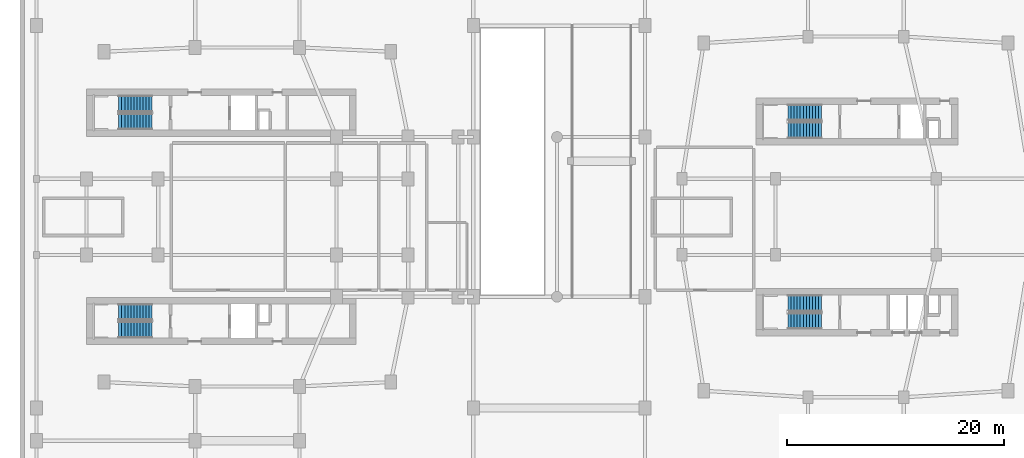
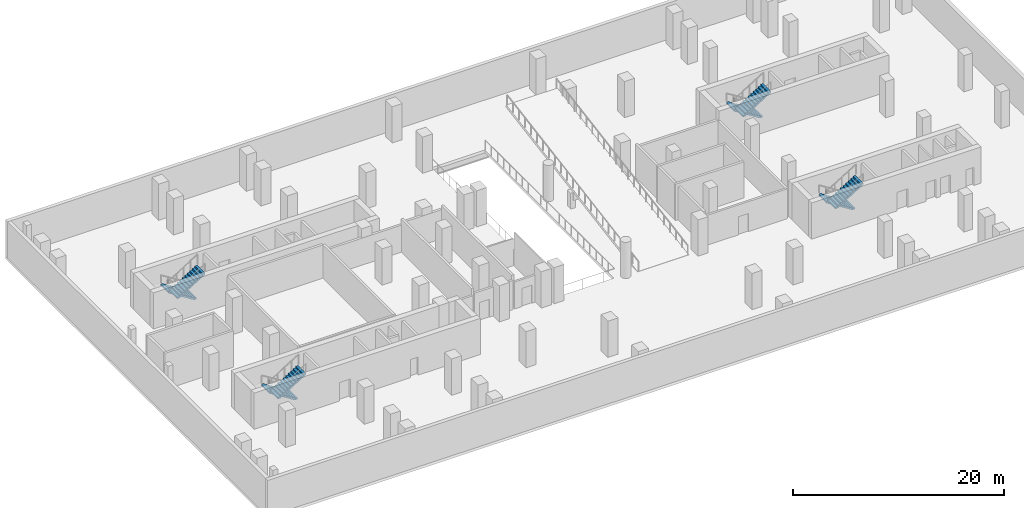
# One storey, part 9 of 13: 8 stair flights, 4 elements without a shape of their own.
"""IFC4 building model written with IfcOpenShell, lengths in metres."""

from ifc_helpers import new_model, si_unit, derived_unit, direction, frame, origin, place, context, subcontext, project, spatial, polyline, outline, extrude, material, type_object, element, aggregate, save


model = new_model("IFC4")

# Units and contexts
model_context = context("Model", 3, precision=1e-05, world=origin(), true_north=direction((0.0, 1.0)))
body_context = subcontext(model_context, "Body", "Model", "MODEL_VIEW")
ifc_project = project(units=[si_unit("LENGTHUNIT", "METRE"), si_unit("AREAUNIT", "SQUARE_METRE"), si_unit("VOLUMEUNIT", "CUBIC_METRE"), si_unit("PLANEANGLEUNIT", "RADIAN"), si_unit("MASSUNIT", "GRAM", prefix="KILO"), derived_unit("THERMALTRANSMITTANCEUNIT", [(si_unit("POWERUNIT", "WATT"), 1), (si_unit("LENGTHUNIT", "METRE"), -2), (si_unit("THERMODYNAMICTEMPERATUREUNIT", "KELVIN"), -1)])], contexts=[model_context])

# Site, building, storey
site_placement = place(None, origin())
site = spatial("IfcSite", under=ifc_project, at=site_placement, CompositionType="ELEMENT")
building_placement = place(site_placement, origin())
building = spatial("IfcBuilding", under=site, at=building_placement, Name="Kivonza Crest Hotel", CompositionType="ELEMENT")
storey_placement = place(building_placement, frame((0.0, 0.0, -4.199951171875)))
storey = spatial("IfcBuildingStorey", under=building, at=storey_placement, Name="B1", CompositionType="ELEMENT", Elevation=-4.199951171875)

# Stair, stair flights
ifc_material = material(Name="Concrete C40/50", Category="concrete")
stair_type = type_object("IfcStairType", Name="ST-DL-24R", PredefinedType="HALF_TURN_STAIR", material=ifc_material)
stair_1_placement = place(storey_placement, origin())
stair_1 = element("IfcStair", 1, at=stair_1_placement, inside=storey, type_object=stair_type, Name="B1 Protected Exit Stair ST-T1-N", PredefinedType="HALF_TURN_STAIR")
stair_flight_type = type_object("IfcStairFlightType", Name="SFL-RC-12R", PredefinedType="STRAIGHT", material=ifc_material)
stair_flight_1_placement = place(storey_placement, frame((12.239990234375, 35.409912109375, 0.0), z_axis=(0.0, 0.0, 1.0), x_axis=(-1.0, 0.0, 0.0)))
stair_flight_1 = element("IfcStairFlight", 2, at=stair_flight_1_placement, type_object=stair_flight_type, Name="ST-T1-N flight 1", NumberOfRisers=12, NumberOfTreads=11, PredefinedType="STRAIGHT", RiserHeight=0.175, TreadLength=0.28, context=body_context, shape_type="SweptSolid", body=[
    extrude(outline(polyline([(0.0, 0.0), (0.0, 0.175048828125), (0.280029296875, 0.175048828125), (0.280029296875, 0.35009765625), (0.56005859375, 0.35009765625), (0.56005859375, 0.52490234375), (0.840087890625, 0.52490234375), (0.840087890625, 0.699951171875), (1.1201171875, 0.699951171875), (1.1201171875, 0.875), (1.39990234375, 0.875), (1.39990234375, 1.050048828125), (1.679931640625, 1.050048828125), (1.679931640625, 1.22509765625), (1.9599609375, 1.22509765625), (1.9599609375, 1.39990234375), (2.239990234375, 1.39990234375), (2.239990234375, 1.574951171875), (2.52001953125, 1.574951171875), (2.52001953125, 1.75), (2.800048828125, 1.75), (2.800048828125, 1.925048828125), (3.080078125, 1.925048828125), (3.080078125, 2.10009765625), (3.080078125, 1.748291015625), (0.28271484375, 0.0), (0.0, 0.0)])), frame((0.0, 0.75, 0.0), z_axis=(0.0, -1.0, 0.0), x_axis=(1.0, 0.0, 0.0)), (0.0, 0.0, 1.0), 1.5),
])
stair_flight_2_placement = place(storey_placement, frame((9.159912109375, 33.77001953125, 2.099853515625), z_axis=(0.0, 0.0, 1.0), x_axis=(1.0, 0.0, 0.0)))
stair_flight_2 = element("IfcStairFlight", 3, at=stair_flight_2_placement, type_object=stair_flight_type, Name="ST-T1-N flight 2", NumberOfRisers=12, NumberOfTreads=11, PredefinedType="STRAIGHT", RiserHeight=0.175, TreadLength=0.28, context=body_context, shape_type="SweptSolid", body=[
    extrude(outline(polyline([(0.0, 0.0), (0.0, 0.175048828125), (0.280029296875, 0.175048828125), (0.280029296875, 0.35009765625), (0.56005859375, 0.35009765625), (0.56005859375, 0.52490234375), (0.840087890625, 0.52490234375), (0.840087890625, 0.699951171875), (1.1201171875, 0.699951171875), (1.1201171875, 0.875), (1.39990234375, 0.875), (1.39990234375, 1.050048828125), (1.679931640625, 1.050048828125), (1.679931640625, 1.22509765625), (1.9599609375, 1.22509765625), (1.9599609375, 1.39990234375), (2.239990234375, 1.39990234375), (2.239990234375, 1.574951171875), (2.52001953125, 1.574951171875), (2.52001953125, 1.75), (2.800048828125, 1.75), (2.800048828125, 1.925048828125), (3.080078125, 1.925048828125), (3.080078125, 2.10009765625), (3.080078125, 1.748291015625), (0.28271484375, 0.0), (0.0, 0.0)])), frame((0.0, 0.75, 0.0), z_axis=(0.0, -1.0, 0.0), x_axis=(1.0, 0.0, 0.0)), (0.0, 0.0, 1.0), 1.5),
])
aggregate(stair_1, [stair_flight_1, stair_flight_2])

stair_2_placement = place(storey_placement, origin())
stair_2 = element("IfcStair", 4, at=stair_2_placement, inside=storey, type_object=stair_type, Name="B1 Protected Exit Stair ST-T1-S", PredefinedType="HALF_TURN_STAIR")
stair_flight_3_placement = place(storey_placement, frame((12.239990234375, 16.25, 0.0), z_axis=(0.0, 0.0, 1.0), x_axis=(-1.0, 0.0, 0.0)))
stair_flight_3 = element("IfcStairFlight", 5, at=stair_flight_3_placement, type_object=stair_flight_type, Name="ST-T1-S flight 1", NumberOfRisers=12, NumberOfTreads=11, PredefinedType="STRAIGHT", RiserHeight=0.175, TreadLength=0.28, context=body_context, shape_type="SweptSolid", body=[
    extrude(outline(polyline([(0.0, 0.0), (0.0, 0.175048828125), (0.280029296875, 0.175048828125), (0.280029296875, 0.35009765625), (0.56005859375, 0.35009765625), (0.56005859375, 0.52490234375), (0.840087890625, 0.52490234375), (0.840087890625, 0.699951171875), (1.1201171875, 0.699951171875), (1.1201171875, 0.875), (1.39990234375, 0.875), (1.39990234375, 1.050048828125), (1.679931640625, 1.050048828125), (1.679931640625, 1.22509765625), (1.9599609375, 1.22509765625), (1.9599609375, 1.39990234375), (2.239990234375, 1.39990234375), (2.239990234375, 1.574951171875), (2.52001953125, 1.574951171875), (2.52001953125, 1.75), (2.800048828125, 1.75), (2.800048828125, 1.925048828125), (3.080078125, 1.925048828125), (3.080078125, 2.10009765625), (3.080078125, 1.748291015625), (0.28271484375, 0.0), (0.0, 0.0)])), frame((0.0, 0.75, 0.0), z_axis=(0.0, -1.0, 0.0), x_axis=(1.0, 0.0, 0.0)), (0.0, 0.0, 1.0), 1.5),
])
stair_flight_4_placement = place(storey_placement, frame((9.159912109375, 14.610107421875, 2.099853515625), z_axis=(0.0, 0.0, 1.0), x_axis=(1.0, 0.0, 0.0)))
stair_flight_4 = element("IfcStairFlight", 6, at=stair_flight_4_placement, type_object=stair_flight_type, Name="ST-T1-S flight 2", NumberOfRisers=12, NumberOfTreads=11, PredefinedType="STRAIGHT", RiserHeight=0.175, TreadLength=0.28, context=body_context, shape_type="SweptSolid", body=[
    extrude(outline(polyline([(0.0, 0.0), (0.0, 0.175048828125), (0.280029296875, 0.175048828125), (0.280029296875, 0.35009765625), (0.56005859375, 0.35009765625), (0.56005859375, 0.52490234375), (0.840087890625, 0.52490234375), (0.840087890625, 0.699951171875), (1.1201171875, 0.699951171875), (1.1201171875, 0.875), (1.39990234375, 0.875), (1.39990234375, 1.050048828125), (1.679931640625, 1.050048828125), (1.679931640625, 1.22509765625), (1.9599609375, 1.22509765625), (1.9599609375, 1.39990234375), (2.239990234375, 1.39990234375), (2.239990234375, 1.574951171875), (2.52001953125, 1.574951171875), (2.52001953125, 1.75), (2.800048828125, 1.75), (2.800048828125, 1.925048828125), (3.080078125, 1.925048828125), (3.080078125, 2.10009765625), (3.080078125, 1.748291015625), (0.28271484375, 0.0), (0.0, 0.0)])), frame((0.0, 0.75, 0.0), z_axis=(0.0, -1.0, 0.0), x_axis=(1.0, 0.0, 0.0)), (0.0, 0.0, 1.0), 1.5),
])
aggregate(stair_2, [stair_flight_3, stair_flight_4])

stair_3_placement = place(storey_placement, origin())
stair_3 = element("IfcStair", 7, at=stair_3_placement, inside=storey, type_object=stair_type, Name="B1 Protected Exit Stair ST-T2-N", PredefinedType="HALF_TURN_STAIR")
stair_flight_5_placement = place(storey_placement, frame((73.840087890625, 34.610107421875, 0.0), z_axis=(0.0, 0.0, 1.0), x_axis=(-1.0, 0.0, 0.0)))
stair_flight_5 = element("IfcStairFlight", 8, at=stair_flight_5_placement, type_object=stair_flight_type, Name="ST-T2-N flight 1", NumberOfRisers=12, NumberOfTreads=11, PredefinedType="STRAIGHT", RiserHeight=0.175, TreadLength=0.28, context=body_context, shape_type="SweptSolid", body=[
    extrude(outline(polyline([(0.0, 0.0), (0.0, 0.175048828125), (0.280029296875, 0.175048828125), (0.280029296875, 0.35009765625), (0.56005859375, 0.35009765625), (0.56005859375, 0.52490234375), (0.840087890625, 0.52490234375), (0.840087890625, 0.699951171875), (1.1201171875, 0.699951171875), (1.1201171875, 0.875), (1.39990234375, 0.875), (1.39990234375, 1.050048828125), (1.679931640625, 1.050048828125), (1.679931640625, 1.22509765625), (1.9599609375, 1.22509765625), (1.9599609375, 1.39990234375), (2.239990234375, 1.39990234375), (2.239990234375, 1.574951171875), (2.52001953125, 1.574951171875), (2.52001953125, 1.75), (2.800048828125, 1.75), (2.800048828125, 1.925048828125), (3.080078125, 1.925048828125), (3.080078125, 2.10009765625), (3.080078125, 1.748291015625), (0.28271484375, 0.0), (0.0, 0.0)])), frame((0.0, 0.75, 0.0), z_axis=(0.0, -1.0, 0.0), x_axis=(1.0, 0.0, 0.0)), (0.0, 0.0, 1.0), 1.5),
])
stair_flight_6_placement = place(storey_placement, frame((70.760009765625, 32.969970703125, 2.099853515625), z_axis=(0.0, 0.0, 1.0), x_axis=(1.0, 0.0, 0.0)))
stair_flight_6 = element("IfcStairFlight", 9, at=stair_flight_6_placement, type_object=stair_flight_type, Name="ST-T2-N flight 2", NumberOfRisers=12, NumberOfTreads=11, PredefinedType="STRAIGHT", RiserHeight=0.175, TreadLength=0.28, context=body_context, shape_type="SweptSolid", body=[
    extrude(outline(polyline([(0.0, 0.0), (0.0, 0.175048828125), (0.280029296875, 0.175048828125), (0.280029296875, 0.35009765625), (0.56005859375, 0.35009765625), (0.56005859375, 0.52490234375), (0.840087890625, 0.52490234375), (0.840087890625, 0.699951171875), (1.1201171875, 0.699951171875), (1.1201171875, 0.875), (1.39990234375, 0.875), (1.39990234375, 1.050048828125), (1.679931640625, 1.050048828125), (1.679931640625, 1.22509765625), (1.9599609375, 1.22509765625), (1.9599609375, 1.39990234375), (2.239990234375, 1.39990234375), (2.239990234375, 1.574951171875), (2.52001953125, 1.574951171875), (2.52001953125, 1.75), (2.800048828125, 1.75), (2.800048828125, 1.925048828125), (3.080078125, 1.925048828125), (3.080078125, 2.10009765625), (3.080078125, 1.748291015625), (0.28271484375, 0.0), (0.0, 0.0)])), frame((0.0, 0.75, 0.0), z_axis=(0.0, -1.0, 0.0), x_axis=(1.0, 0.0, 0.0)), (0.0, 0.0, 1.0), 1.5),
])
aggregate(stair_3, [stair_flight_5, stair_flight_6])

stair_4_placement = place(storey_placement, origin())
stair_4 = element("IfcStair", 10, at=stair_4_placement, inside=storey, type_object=stair_type, Name="B1 Protected Exit Stair ST-T2-S", PredefinedType="HALF_TURN_STAIR")
stair_flight_7_placement = place(storey_placement, frame((73.840087890625, 17.050048828125, 0.0), z_axis=(0.0, 0.0, 1.0), x_axis=(-1.0, 0.0, 0.0)))
stair_flight_7 = element("IfcStairFlight", 11, at=stair_flight_7_placement, type_object=stair_flight_type, Name="ST-T2-S flight 1", NumberOfRisers=12, NumberOfTreads=11, PredefinedType="STRAIGHT", RiserHeight=0.175, TreadLength=0.28, context=body_context, shape_type="SweptSolid", body=[
    extrude(outline(polyline([(0.0, 0.0), (0.0, 0.175048828125), (0.280029296875, 0.175048828125), (0.280029296875, 0.35009765625), (0.56005859375, 0.35009765625), (0.56005859375, 0.52490234375), (0.840087890625, 0.52490234375), (0.840087890625, 0.699951171875), (1.1201171875, 0.699951171875), (1.1201171875, 0.875), (1.39990234375, 0.875), (1.39990234375, 1.050048828125), (1.679931640625, 1.050048828125), (1.679931640625, 1.22509765625), (1.9599609375, 1.22509765625), (1.9599609375, 1.39990234375), (2.239990234375, 1.39990234375), (2.239990234375, 1.574951171875), (2.52001953125, 1.574951171875), (2.52001953125, 1.75), (2.800048828125, 1.75), (2.800048828125, 1.925048828125), (3.080078125, 1.925048828125), (3.080078125, 2.10009765625), (3.080078125, 1.748291015625), (0.28271484375, 0.0), (0.0, 0.0)])), frame((0.0, 0.75, 0.0), z_axis=(0.0, -1.0, 0.0), x_axis=(1.0, 0.0, 0.0)), (0.0, 0.0, 1.0), 1.5),
])
stair_flight_8_placement = place(storey_placement, frame((70.760009765625, 15.409912109375, 2.099853515625), z_axis=(0.0, 0.0, 1.0), x_axis=(1.0, 0.0, 0.0)))
stair_flight_8 = element("IfcStairFlight", 12, at=stair_flight_8_placement, type_object=stair_flight_type, Name="ST-T2-S flight 2", NumberOfRisers=12, NumberOfTreads=11, PredefinedType="STRAIGHT", RiserHeight=0.175, TreadLength=0.28, context=body_context, shape_type="SweptSolid", body=[
    extrude(outline(polyline([(0.0, 0.0), (0.0, 0.175048828125), (0.280029296875, 0.175048828125), (0.280029296875, 0.35009765625), (0.56005859375, 0.35009765625), (0.56005859375, 0.52490234375), (0.840087890625, 0.52490234375), (0.840087890625, 0.699951171875), (1.1201171875, 0.699951171875), (1.1201171875, 0.875), (1.39990234375, 0.875), (1.39990234375, 1.050048828125), (1.679931640625, 1.050048828125), (1.679931640625, 1.22509765625), (1.9599609375, 1.22509765625), (1.9599609375, 1.39990234375), (2.239990234375, 1.39990234375), (2.239990234375, 1.574951171875), (2.52001953125, 1.574951171875), (2.52001953125, 1.75), (2.800048828125, 1.75), (2.800048828125, 1.925048828125), (3.080078125, 1.925048828125), (3.080078125, 2.10009765625), (3.080078125, 1.748291015625), (0.28271484375, 0.0), (0.0, 0.0)])), frame((0.0, 0.75, 0.0), z_axis=(0.0, -1.0, 0.0), x_axis=(1.0, 0.0, 0.0)), (0.0, 0.0, 1.0), 1.5),
])
aggregate(stair_4, [stair_flight_7, stair_flight_8])

save(model, "model.ifc")
